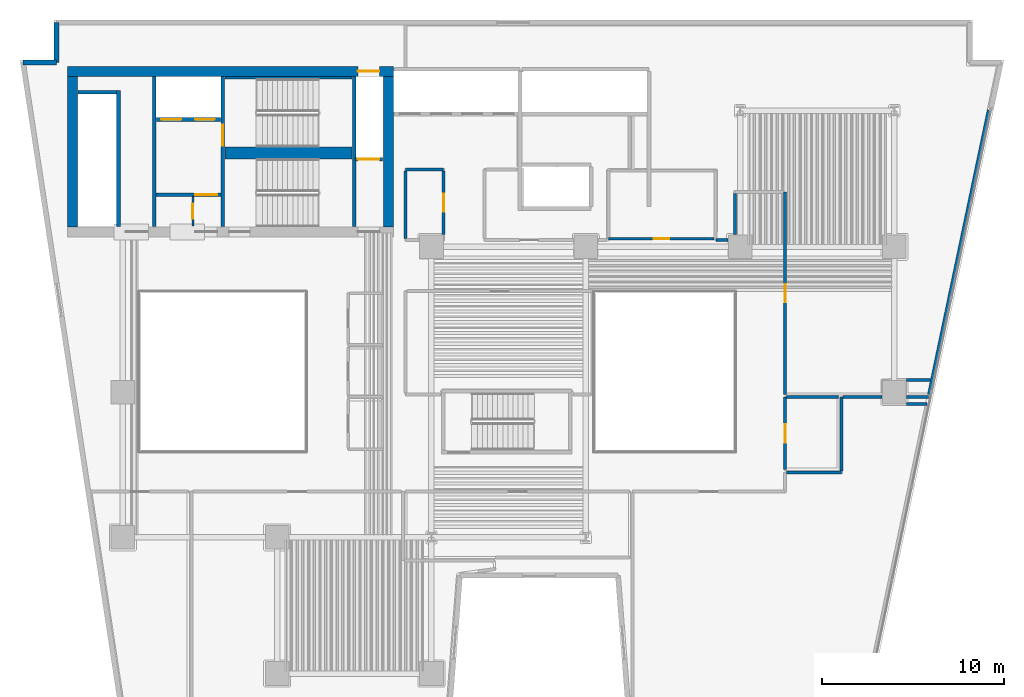
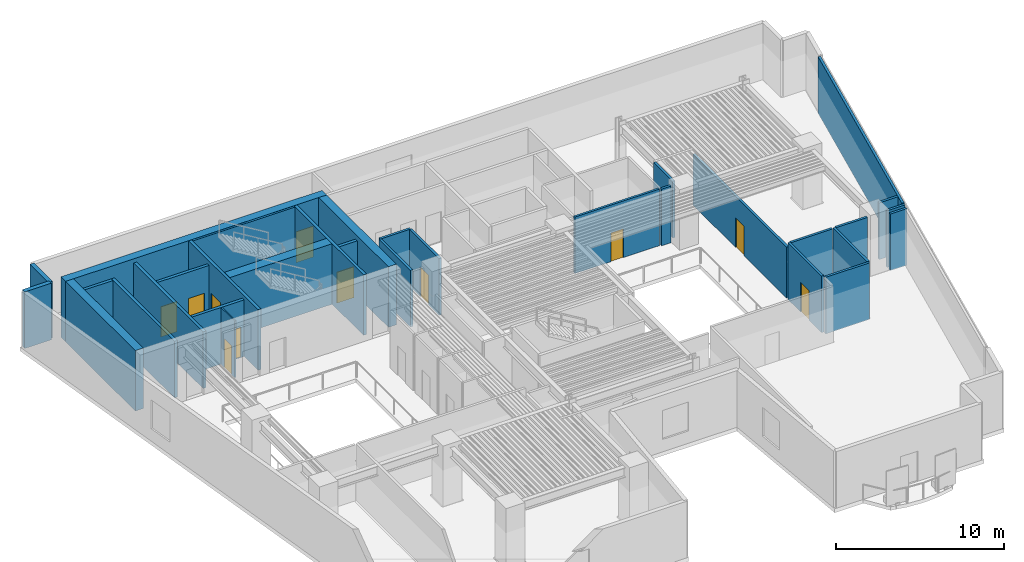
# One storey, part 5 of 12: 32 walls, 11 doors, 11 openings.
"""IFC4 building model written with IfcOpenShell, lengths in metres."""

from ifc_helpers import new_model, si_unit, direction, frame, frame_2d, origin, place, context, subcontext, project, spatial, rectangle, extrude, material, layer, layer_set, type_object, element, fill, save


model = new_model("IFC4")

# Units and contexts
model_context = context("Model", 3, precision=1e-05, world=origin(), true_north=direction((0.0, 1.0)))
body_context = subcontext(model_context, "Body", "Model", "MODEL_VIEW")
ifc_project = project(units=[si_unit("LENGTHUNIT", "METRE"), si_unit("AREAUNIT", "SQUARE_METRE"), si_unit("VOLUMEUNIT", "CUBIC_METRE"), si_unit("PLANEANGLEUNIT", "RADIAN"), si_unit("MASSUNIT", "GRAM", prefix="KILO")], contexts=[model_context])

# Site, building, storey
site_placement = place(None, origin())
site = spatial("IfcSite", under=ifc_project, at=site_placement, CompositionType="ELEMENT")
building_placement = place(site_placement, origin())
building = spatial("IfcBuilding", under=site, at=building_placement, Name="Caeloran Harvest Quay", CompositionType="ELEMENT")
storey_placement = place(building_placement, frame((0.0, 0.0, 93.0)))
storey = spatial("IfcBuildingStorey", under=building, at=storey_placement, Name="L21", CompositionType="ELEMENT", Elevation=93.0)

# Walls
ifc_material_1 = material(Name="Precast concrete C50/60", Category="concrete")
ifc_layer_1 = layer(ifc_material_1, 0.280029296875, Name="Precast concrete C50/60")
ifc_layer_set_1 = layer_set([ifc_layer_1], Name="Precast concrete C50/60")
wall_type_1 = type_object("IfcWallType", Name="ENV-WALL-EW-280", PredefinedType="STANDARD", material=ifc_layer_set_1)
wall_1_placement = place(storey_placement, frame((2.99755859375, 41.159912109375, 0.0), z_axis=(0.0, 0.0, 1.0), x_axis=(1.0, 0.0, 0.0)))
element("IfcWall", 1, at=wall_1_placement, inside=storey, type_object=wall_type_1, Name="L21 Exterior Precast Concrete Facade Wall 4", PredefinedType="STANDARD", context=body_context, shape_type="SweptSolid", body=[
    extrude(rectangle(XDim=1.842529296875, YDim=0.280029296875, at=frame_2d((0.92138671875, 0.0))), origin(), (0.0, 0.0, 1.0), 4.114990234375),
])
wall_2_placement = place(storey_placement, frame((4.840087890625, 41.159912109375, 0.0), z_axis=(0.0, 0.0, 1.0), x_axis=(0.0, 1.0, 0.0)))
element("IfcWall", 2, at=wall_2_placement, inside=storey, type_object=wall_type_1, Name="L21 Exterior Precast Concrete Facade Wall 5", PredefinedType="STANDARD", context=body_context, shape_type="SweptSolid", body=[
    extrude(rectangle(XDim=2.2001953125, YDim=0.280029296875, at=frame_2d((1.10009765625, 0.0))), origin(), (0.0, 0.0, 1.0), 4.114990234375),
])

# Wall, opening, door
ifc_material_2 = material(Name="Fire-Resisting Gypsum Core Riser Partition", Category="gypsum")
ifc_layer_2 = layer(ifc_material_2, 0.10009765625, Name="Fire-Resisting Gypsum Core Riser Partition")
ifc_layer_set_2 = layer_set([ifc_layer_2], Name="Fire-Resisting Gypsum Core Riser Partition")
wall_type_2 = type_object("IfcWallType", Name="INT-WALL-PW-100", PredefinedType="PARTITIONING", material=ifc_layer_set_2)
wall_3_placement = place(storey_placement, frame((12.360107421875, 32.159912109375, 0.0), z_axis=(0.0, 0.0, 1.0), x_axis=(0.0, 1.0, 0.0)))
wall_3 = element("IfcWall", 3, at=wall_3_placement, inside=storey, type_object=wall_type_2, Name="L21 Core Store Partition Wall", PredefinedType="PARTITIONING", context=body_context, shape_type="SweptSolid", body=[
    extrude(rectangle(XDim=1.6201171875, YDim=0.10009765625, at=frame_2d((0.81005859375, 0.0))), origin(), (0.0, 0.0, 1.0), 4.114990234375),
])
opening_1_placement = place(wall_3_placement, frame((0.3798828125, 0.0, 0.0)))
opening_1 = element("IfcOpeningElement", 4, at=opening_1_placement, cuts=wall_3, Name="Opening SV-01", PredefinedType="OPENING", context=body_context, shape_type="SweptSolid", body=[
    extrude(rectangle(XDim=0.85009765625, YDim=2.10009765625, at=frame_2d((0.425048828125, 1.050048828125))), frame((0.0, 0.06005859375, 0.0), z_axis=(0.0, -1.0, 0.0), x_axis=(1.0, 0.0, 0.0)), (0.0, 0.0, 1.0), 0.1201171875),
])
ifc_material_3 = material(Name="Galvanized Painted Steel", Category="steel")
door_type_1 = type_object("IfcDoorType", Name="INTDOOR-SV-01", OperationType="NOTDEFINED", PredefinedType="DOOR", material=ifc_material_3)
door_1_placement = place(opening_1_placement, origin())
door_1 = element("IfcDoor", 5, at=door_1_placement, inside=storey, type_object=door_type_1, Name="L21 Core Service Room Access Door", OperationType="SINGLE_SWING_RIGHT", OverallHeight=2.10009765625, OverallWidth=0.85009765625, PredefinedType="DOOR", context=body_context, shape_type="SweptSolid", body=[
    extrude(rectangle(XDim=0.85009765625, YDim=2.10009765625, at=frame_2d((0.425048828125, 1.050048828125))), frame((0.0, 0.02490234375, 0.0), z_axis=(0.0, -1.0, 0.0), x_axis=(1.0, 0.0, 0.0)), (0.0, 0.0, 1.0), 0.050048828125),
])
fill(opening_1, door_1)

ifc_material_4 = material(Name="Autoclaved Aerated Concrete Blockwork and Plasterboard", Category="masonry")
ifc_layer_3 = layer(ifc_material_4, 0.14990234375, Name="Autoclaved Aerated Concrete Blockwork and Plasterboard")
ifc_layer_set_3 = layer_set([ifc_layer_3], Name="Autoclaved Aerated Concrete Blockwork and Plasterboard")
wall_type_3 = type_object("IfcWallType", Name="INT-WALL-PW-150", PredefinedType="PARTITIONING", material=ifc_layer_set_3)
wall_4_placement = place(storey_placement, frame((41.070068359375, 31.449951171875, 0.0), z_axis=(0.0, 0.0, 1.0), x_axis=(-1.0, 0.0, 0.0)))
wall_4 = element("IfcWall", 6, at=wall_4_placement, inside=storey, type_object=wall_type_3, Name="L21 Core Telemetry Control Room Partition Wall", PredefinedType="PARTITIONING", context=body_context, shape_type="SweptSolid", body=[
    extrude(rectangle(XDim=5.820068359375, YDim=0.14990234375, at=frame_2d((2.91015625, 0.0))), origin(), (0.0, 0.0, 1.0), 4.114990234375),
])
opening_2_placement = place(wall_4_placement, frame((2.485107421875, 0.0, 0.0)))
opening_2 = element("IfcOpeningElement", 7, at=opening_2_placement, cuts=wall_4, Name="Opening SV-01", PredefinedType="OPENING", context=body_context, shape_type="SweptSolid", body=[
    extrude(rectangle(XDim=0.85009765625, YDim=2.10009765625, at=frame_2d((0.425048828125, 1.050048828125))), frame((0.0, 0.0849609375, 0.0), z_axis=(0.0, -1.0, 0.0), x_axis=(1.0, 0.0, 0.0)), (0.0, 0.0, 1.0), 0.169921875),
])
door_2_placement = place(opening_2_placement, origin())
door_2 = element("IfcDoor", 8, at=door_2_placement, inside=storey, type_object=door_type_1, Name="L21 Core Telemetry Control Room Access Door", OperationType="SINGLE_SWING_LEFT", OverallHeight=2.10009765625, OverallWidth=0.85009765625, PredefinedType="DOOR", context=body_context, shape_type="SweptSolid", body=[
    extrude(rectangle(XDim=0.85009765625, YDim=2.10009765625, at=frame_2d((0.425048828125, 1.050048828125))), frame((0.0, 0.02490234375, 0.0), z_axis=(0.0, -1.0, 0.0), x_axis=(1.0, 0.0, 0.0)), (0.0, 0.0, 1.0), 0.050048828125),
])
fill(opening_2, door_2)

# Walls
ifc_material_5 = material(Name="Autoclaved Aerated Concrete Blockwork", Category="masonry")
ifc_layer_4 = layer(ifc_material_5, 0.1650390625, Name="Autoclaved Aerated Concrete Blockwork")
ifc_layer_set_4 = layer_set([ifc_layer_4], Name="Autoclaved Aerated Concrete Blockwork")
wall_type_4 = type_object("IfcWallType", Name="INT-WALL-PW-165", PredefinedType="PARTITIONING", material=ifc_layer_set_4)
wall_5_placement = place(storey_placement, frame((45.0673828125, 18.570068359375, 0.0), z_axis=(0.0, 0.0, 1.0), x_axis=(1.0, 0.0, 0.0)))
element("IfcWall", 9, at=wall_5_placement, inside=storey, type_object=wall_type_4, Name="Biophilic Architecture Atelier Partition Wall", PredefinedType="PARTITIONING", context=body_context, shape_type="SweptSolid", body=[
    extrude(rectangle(XDim=3.0126953125, YDim=0.1650390625, at=frame_2d((1.50634765625, 0.0))), origin(), (0.0, 0.0, 1.0), 4.114990234375),
])
wall_6_placement = place(storey_placement, frame((48.080078125, 18.657470703125, 0.0), z_axis=(0.0, 0.0, 1.0), x_axis=(0.0, 1.0, 0.0)))
element("IfcWall", 10, at=wall_6_placement, inside=storey, type_object=wall_type_4, Name="Biophilic Architecture Atelier Partition Wall", PredefinedType="PARTITIONING", context=body_context, shape_type="SweptSolid", body=[
    extrude(rectangle(XDim=4.0625, YDim=0.1650390625, at=frame_2d((2.03125, 0.0))), origin(), (0.0, 0.0, 1.0), 4.114990234375),
])
wall_7_placement = place(storey_placement, frame((48.16748046875, 22.719970703125, 0.0), z_axis=(0.0, 0.0, 1.0), x_axis=(1.0, 0.0, 0.0)))
element("IfcWall", 11, at=wall_7_placement, inside=storey, type_object=wall_type_4, Name="Biophilic Architecture Atelier Partition Wall", PredefinedType="PARTITIONING", context=body_context, shape_type="SweptSolid", body=[
    extrude(rectangle(XDim=2.157470703125, YDim=0.1650390625, at=frame_2d((1.07861328125, 0.0))), origin(), (0.0, 0.0, 1.0), 4.114990234375),
])
wall_8_placement = place(storey_placement, frame((51.675048828125, 22.3349609375, 0.0), z_axis=(0.0, 0.0, 1.0), x_axis=(1.0, 0.0, 0.0)))
element("IfcWall", 12, at=wall_8_placement, inside=storey, type_object=wall_type_4, Name="Biophilic Architecture Atelier Partition Wall", PredefinedType="PARTITIONING", context=body_context, shape_type="SweptSolid", body=[
    extrude(rectangle(XDim=1.12841796875, YDim=0.1650390625, at=frame_2d((0.564208984375, 0.0))), origin(), (0.0, 0.0, 1.0), 4.114990234375),
])
wall_9_placement = place(storey_placement, frame((51.675048828125, 22.719970703125, 0.0), z_axis=(0.0, 0.0, 1.0), x_axis=(1.0, 0.0, 0.0)))
element("IfcWall", 13, at=wall_9_placement, inside=storey, type_object=wall_type_4, Name="Biophilic Architecture Atelier Partition Wall", PredefinedType="PARTITIONING", context=body_context, shape_type="SweptSolid", body=[
    extrude(rectangle(XDim=1.209228515625, YDim=0.1650390625, at=frame_2d((0.6044921875, 0.0))), origin(), (0.0, 0.0, 1.0), 4.114990234375),
])

# Wall, opening, door
wall_10_placement = place(storey_placement, frame((44.97998046875, 18.72998046875, 0.0), z_axis=(0.0, 0.0, 1.0), x_axis=(0.0, 1.0, 0.0)))
wall_10 = element("IfcWall", 14, at=wall_10_placement, inside=storey, type_object=wall_type_4, Name="Principal Partner Office Partition Wall", PredefinedType="PARTITIONING", context=body_context, shape_type="SweptSolid", body=[
    extrude(rectangle(XDim=3.989990234375, YDim=0.1650390625, at=frame_2d((1.9951171875, 0.0))), origin(), (0.0, 0.0, 1.0), 4.114990234375),
])
opening_3_placement = place(wall_10_placement, frame((1.4951171875, 0.0, 0.0)))
opening_3 = element("IfcOpeningElement", 15, at=opening_3_placement, cuts=wall_10, Name="Opening ID-01", PredefinedType="OPENING", context=body_context, shape_type="SweptSolid", body=[
    extrude(rectangle(XDim=1.0, YDim=2.14990234375, at=frame_2d((0.5, 1.074951171875))), frame((0.0, 0.092529296875, 0.0), z_axis=(0.0, -1.0, 0.0), x_axis=(1.0, 0.0, 0.0)), (0.0, 0.0, 1.0), 0.18505859375),
])
ifc_material_6 = material(Name="FSC Solid-Core Ash Timber and Acoustic Seal", Category="wood")
door_type_2 = type_object("IfcDoorType", Name="INTDOOR-ID-01", OperationType="NOTDEFINED", PredefinedType="DOOR", material=ifc_material_6)
door_3_placement = place(opening_3_placement, origin())
door_3 = element("IfcDoor", 16, at=door_3_placement, inside=storey, type_object=door_type_2, Name="Principal Partner Office Access Door", OperationType="SINGLE_SWING_LEFT", OverallHeight=2.14990234375, OverallWidth=1.0, PredefinedType="DOOR", context=body_context, shape_type="SweptSolid", body=[
    extrude(rectangle(XDim=1.0, YDim=2.14990234375, at=frame_2d((0.5, 1.074951171875))), frame((0.0, 0.02490234375, 0.0), z_axis=(0.0, -1.0, 0.0), x_axis=(1.0, 0.0, 0.0)), (0.0, 0.0, 1.0), 0.050048828125),
])
fill(opening_3, door_3)

# Walls
wall_11_placement = place(storey_placement, frame((45.0673828125, 22.719970703125, 0.0), z_axis=(0.0, 0.0, 1.0), x_axis=(1.0, 0.0, 0.0)))
element("IfcWall", 17, at=wall_11_placement, inside=storey, type_object=wall_type_4, Name="Principal Partner Office Partition Wall", PredefinedType="PARTITIONING", context=body_context, shape_type="SweptSolid", body=[
    extrude(rectangle(XDim=2.8525390625, YDim=0.1650390625, at=frame_2d((1.42626953125, 0.0))), origin(), (0.0, 0.0, 1.0), 4.114990234375),
])
wall_12_placement = place(storey_placement, frame((24.080078125, 35.27001953125, 0.0), z_axis=(0.0, 0.0, 1.0), x_axis=(1.0, 0.0, 0.0)))
element("IfcWall", 18, at=wall_12_placement, inside=storey, type_object=wall_type_4, Name="Partner Boardroom Partition Wall", PredefinedType="PARTITIONING", context=body_context, shape_type="SweptSolid", body=[
    extrude(rectangle(XDim=2.08984375, YDim=0.1650390625, at=frame_2d((1.044921875, 0.0))), origin(), (0.0, 0.0, 1.0), 4.114990234375),
])

# Wall, opening, door
wall_13_placement = place(storey_placement, frame((26.169921875, 35.1826171875, 0.0), z_axis=(0.0, 0.0, 1.0), x_axis=(0.0, -1.0, 0.0)))
wall_13 = element("IfcWall", 19, at=wall_13_placement, inside=storey, type_object=wall_type_4, Name="Partner Boardroom Partition Wall", PredefinedType="PARTITIONING", context=body_context, shape_type="SweptSolid", body=[
    extrude(rectangle(XDim=3.507568359375, YDim=0.1650390625, at=frame_2d((1.75390625, 0.0))), origin(), (0.0, 0.0, 1.0), 4.114990234375),
])
opening_4_placement = place(wall_13_placement, frame((1.253662109375, 0.0, 0.0)))
opening_4 = element("IfcOpeningElement", 20, at=opening_4_placement, cuts=wall_13, Name="Opening ID-01", PredefinedType="OPENING", context=body_context, shape_type="SweptSolid", body=[
    extrude(rectangle(XDim=1.0, YDim=2.14990234375, at=frame_2d((0.5, 1.074951171875))), frame((0.0, 0.092529296875, 0.0), z_axis=(0.0, -1.0, 0.0), x_axis=(1.0, 0.0, 0.0)), (0.0, 0.0, 1.0), 0.18505859375),
])
door_4_placement = place(opening_4_placement, origin())
door_4 = element("IfcDoor", 21, at=door_4_placement, inside=storey, type_object=door_type_2, Name="Partner Boardroom Access Door", OperationType="SINGLE_SWING_LEFT", OverallHeight=2.14990234375, OverallWidth=1.0, PredefinedType="DOOR", context=body_context, shape_type="SweptSolid", body=[
    extrude(rectangle(XDim=1.0, YDim=2.14990234375, at=frame_2d((0.5, 1.074951171875))), frame((0.0, 0.02490234375, 0.0), z_axis=(0.0, -1.0, 0.0), x_axis=(1.0, 0.0, 0.0)), (0.0, 0.0, 1.0), 0.050048828125),
])
fill(opening_4, door_4)

# Walls
wall_14_placement = place(storey_placement, frame((24.080078125, 31.467529296875, 0.0), z_axis=(0.0, 0.0, 1.0), x_axis=(0.0, 1.0, 0.0)))
element("IfcWall", 22, at=wall_14_placement, inside=storey, type_object=wall_type_4, Name="Partner Boardroom Partition Wall", PredefinedType="PARTITIONING", context=body_context, shape_type="SweptSolid", body=[
    extrude(rectangle(XDim=3.715087890625, YDim=0.1650390625, at=frame_2d((1.857421875, 0.0))), origin(), (0.0, 0.0, 1.0), 4.114990234375),
])
wall_15_placement = place(storey_placement, frame((56.1943359375, 38.547607421875, 0.0), z_axis=(0.0, 0.0, 1.0), x_axis=(-0.205579307071, -0.978640459262, 0.0)))
element("IfcWall", 23, at=wall_15_placement, inside=storey, type_object=wall_type_4, Name="Regional Food Policy Boardroom 9 Partition Wall", PredefinedType="PARTITIONING", context=body_context, shape_type="SweptSolid", body=[
    extrude(rectangle(XDim=16.009765625, YDim=0.1650390625, at=frame_2d((8.0048828125, 0.0))), origin(), (0.0, 0.0, 1.0), 4.114990234375),
])
wall_16_placement = place(storey_placement, frame((52.978515625, 23.6650390625, 0.0), z_axis=(0.0, 0.0, 1.0), x_axis=(-1.0, 0.0, 0.0)))
element("IfcWall", 24, at=wall_16_placement, inside=storey, type_object=wall_type_4, Name="Regional Food Policy Boardroom 9 Partition Wall", PredefinedType="PARTITIONING", context=body_context, shape_type="SweptSolid", body=[
    extrude(rectangle(XDim=1.303466796875, YDim=0.1650390625, at=frame_2d((0.65185546875, 0.0))), origin(), (0.0, 0.0, 1.0), 4.114990234375),
])

# Wall, opening, door
wall_17_placement = place(storey_placement, frame((44.97998046875, 22.8798828125, 0.0), z_axis=(0.0, 0.0, 1.0), x_axis=(0.0, 1.0, 0.0)))
wall_17 = element("IfcWall", 25, at=wall_17_placement, inside=storey, type_object=wall_type_4, Name="Regional Food Policy Boardroom 9 Partition Wall", PredefinedType="PARTITIONING", context=body_context, shape_type="SweptSolid", body=[
    extrude(rectangle(XDim=11.150146484375, YDim=0.1650390625, at=frame_2d((5.5751953125, 0.0))), origin(), (0.0, 0.0, 1.0), 3.699951171875),
])
opening_5_placement = place(wall_17_placement, frame((5.074951171875, 0.0, 0.0)))
opening_5 = element("IfcOpeningElement", 26, at=opening_5_placement, cuts=wall_17, Name="Opening ID-01", PredefinedType="OPENING", context=body_context, shape_type="SweptSolid", body=[
    extrude(rectangle(XDim=1.0, YDim=2.14990234375, at=frame_2d((0.5, 1.074951171875))), frame((0.0, 0.092529296875, 0.0), z_axis=(0.0, -1.0, 0.0), x_axis=(1.0, 0.0, 0.0)), (0.0, 0.0, 1.0), 0.18505859375),
])
door_5_placement = place(opening_5_placement, origin())
door_5 = element("IfcDoor", 27, at=door_5_placement, inside=storey, type_object=door_type_2, Name="Regional Food Policy Boardroom 9 Access Door", OperationType="SINGLE_SWING_LEFT", OverallHeight=2.14990234375, OverallWidth=1.0, PredefinedType="DOOR", context=body_context, shape_type="SweptSolid", body=[
    extrude(rectangle(XDim=1.0, YDim=2.14990234375, at=frame_2d((0.5, 1.074951171875))), frame((0.0, 0.02490234375, 0.0), z_axis=(0.0, -1.0, 0.0), x_axis=(1.0, 0.0, 0.0)), (0.0, 0.0, 1.0), 0.050048828125),
])
fill(opening_5, door_5)

# Walls
wall_18_placement = place(storey_placement, frame((42.219970703125, 33.9423828125, 0.0), z_axis=(0.0, 0.0, 1.0), x_axis=(0.0, -1.0, 0.0)))
element("IfcWall", 28, at=wall_18_placement, inside=storey, type_object=wall_type_4, Name="Regional Food Policy Boardroom 9 Partition Wall", PredefinedType="PARTITIONING", context=body_context, shape_type="SweptSolid", body=[
    extrude(rectangle(XDim=2.267333984375, YDim=0.1650390625, at=frame_2d((1.1337890625, 0.0))), origin(), (0.0, 0.0, 1.0), 4.114990234375),
])
wall_19_placement = place(storey_placement, frame((41.824951171875, 31.3798828125, 0.0), z_axis=(0.0, 0.0, 1.0), x_axis=(-1.0, 0.0, 0.0)))
element("IfcWall", 29, at=wall_19_placement, inside=storey, type_object=wall_type_4, Name="Regional Food Policy Boardroom 9 Partition Wall", PredefinedType="PARTITIONING", context=body_context, shape_type="SweptSolid", body=[
    extrude(rectangle(XDim=0.660400390625, YDim=0.1650390625, at=frame_2d((0.330078125, 0.0))), origin(), (0.0, 0.0, 1.0), 4.114990234375),
])
ifc_material_7 = material(Name="Concrete C50/60", Category="concrete")
ifc_layer_5 = layer(ifc_material_7, 0.199951171875, Name="Concrete C50/60")
ifc_layer_set_5 = layer_set([ifc_layer_5], Name="Concrete C50/60")
wall_type_5 = type_object("IfcWallType", Name="INT-WALL-SW-200", PredefinedType="PARTITIONING", material=ifc_layer_set_5)
wall_20_placement = place(storey_placement, frame((8.260009765625, 32.1201171875, 0.0), z_axis=(0.0, 0.0, 1.0), x_axis=(0.0, 1.0, 0.0)))
element("IfcWall", 30, at=wall_20_placement, inside=storey, type_object=wall_type_5, Name="L21 Bank 3 Lift Shaft Wall", PredefinedType="PARTITIONING", context=body_context, shape_type="SweptSolid", body=[
    extrude(rectangle(XDim=7.5, YDim=0.199951171875, at=frame_2d((3.75, 0.0))), origin(), (0.0, 0.0, 1.0), 4.114990234375),
])
wall_21_placement = place(storey_placement, frame((6.02001953125, 39.52001953125, 0.0), z_axis=(0.0, 0.0, 1.0), x_axis=(1.0, 0.0, 0.0)))
element("IfcWall", 31, at=wall_21_placement, inside=storey, type_object=wall_type_5, Name="L21 Bank 3 Lift Shaft North End Wall", PredefinedType="PARTITIONING", context=body_context, shape_type="SweptSolid", body=[
    extrude(rectangle(XDim=2.119873046875, YDim=0.199951171875, at=frame_2d((1.06005859375, 0.0))), origin(), (0.0, 0.0, 1.0), 4.114990234375),
])
wall_22_placement = place(storey_placement, frame((10.219970703125, 32.1201171875, 0.0), z_axis=(0.0, 0.0, 1.0), x_axis=(0.0, 1.0, 0.0)))
element("IfcWall", 32, at=wall_22_placement, inside=storey, type_object=wall_type_5, Name="L21 Core Lobby Compartment Wall", PredefinedType="PARTITIONING", context=body_context, shape_type="SweptSolid", body=[
    extrude(rectangle(XDim=8.259765625, YDim=0.199951171875, at=frame_2d((4.1298828125, 0.0))), origin(), (0.0, 0.0, 1.0), 4.114990234375),
])

# Wall, openings, doors
wall_23_placement = place(storey_placement, frame((10.340087890625, 38.02001953125, 0.0), z_axis=(0.0, 0.0, 1.0), x_axis=(1.0, 0.0, 0.0)))
wall_23 = element("IfcWall", 33, at=wall_23_placement, inside=storey, type_object=wall_type_5, Name="L21 Firefighting Lift Shaft Wall", PredefinedType="PARTITIONING", context=body_context, shape_type="SweptSolid", body=[
    extrude(rectangle(XDim=3.539794921875, YDim=0.199951171875, at=frame_2d((1.77001953125, 0.0))), origin(), (0.0, 0.0, 1.0), 4.114990234375),
])
opening_6_placement = place(wall_23_placement, frame((0.284912109375, 0.0, 0.0)))
opening_6 = element("IfcOpeningElement", 34, at=opening_6_placement, cuts=wall_23, Name="Opening LD-01", PredefinedType="OPENING", context=body_context, shape_type="SweptSolid", body=[
    extrude(rectangle(XDim=1.10009765625, YDim=2.199951171875, at=frame_2d((0.550048828125, 1.10009765625))), frame((0.0, 0.10986328125, 0.0), z_axis=(0.0, -1.0, 0.0), x_axis=(1.0, 0.0, 0.0)), (0.0, 0.0, 1.0), 0.219970703125),
])
opening_7_placement = place(wall_23_placement, frame((2.135009765625, 0.0, 0.0)))
opening_7 = element("IfcOpeningElement", 35, at=opening_7_placement, cuts=wall_23, Name="Opening LD-01", PredefinedType="OPENING", context=body_context, shape_type="SweptSolid", body=[
    extrude(rectangle(XDim=1.10009765625, YDim=2.199951171875, at=frame_2d((0.550048828125, 1.10009765625))), frame((0.0, 0.10986328125, 0.0), z_axis=(0.0, -1.0, 0.0), x_axis=(1.0, 0.0, 0.0)), (0.0, 0.0, 1.0), 0.219970703125),
])
ifc_material_8 = material(Name="Stainless Steel Grade 316", Category="steel")
door_type_3 = type_object("IfcDoorType", Name="INTDOOR-LD-01", OperationType="NOTDEFINED", PredefinedType="DOOR", material=ifc_material_8)
door_6_placement = place(opening_6_placement, origin())
door_6 = element("IfcDoor", 36, at=door_6_placement, inside=storey, type_object=door_type_3, Name="Lift FF-1 Sliding Landing Door (L21)", OperationType="DOUBLE_DOOR_SLIDING", OverallHeight=2.199951171875, OverallWidth=1.10009765625, PredefinedType="DOOR", context=body_context, shape_type="SweptSolid", body=[
    extrude(rectangle(XDim=1.10009765625, YDim=2.199951171875, at=frame_2d((0.550048828125, 1.10009765625))), frame((0.0, 0.02490234375, 0.0), z_axis=(0.0, -1.0, 0.0), x_axis=(1.0, 0.0, 0.0)), (0.0, 0.0, 1.0), 0.050048828125),
])
fill(opening_6, door_6)
door_7_placement = place(opening_7_placement, origin())
door_7 = element("IfcDoor", 37, at=door_7_placement, inside=storey, type_object=door_type_3, Name="Lift FF-2 Sliding Landing Door (L21)", OperationType="DOUBLE_DOOR_SLIDING", OverallHeight=2.199951171875, OverallWidth=1.10009765625, PredefinedType="DOOR", context=body_context, shape_type="SweptSolid", body=[
    extrude(rectangle(XDim=1.10009765625, YDim=2.199951171875, at=frame_2d((0.550048828125, 1.10009765625))), frame((0.0, 0.02490234375, 0.0), z_axis=(0.0, -1.0, 0.0), x_axis=(1.0, 0.0, 0.0)), (0.0, 0.0, 1.0), 0.050048828125),
])
fill(opening_7, door_7)

# Wall, opening, door
wall_24_placement = place(storey_placement, frame((10.340087890625, 33.8798828125, 0.0), z_axis=(0.0, 0.0, 1.0), x_axis=(1.0, 0.0, 0.0)))
wall_24 = element("IfcWall", 38, at=wall_24_placement, inside=storey, type_object=wall_type_5, Name="L21 Firefighting Lift Lobby Enclosure Wall", PredefinedType="PARTITIONING", context=body_context, shape_type="SweptSolid", body=[
    extrude(rectangle(XDim=3.559814453125, YDim=0.199951171875, at=frame_2d((1.77978515625, 0.0))), origin(), (0.0, 0.0, 1.0), 4.114990234375),
])
opening_8_placement = place(wall_24_placement, frame((2.14990234375, 0.0, 0.0)))
opening_8 = element("IfcOpeningElement", 39, at=opening_8_placement, cuts=wall_24, Name="Opening FD-01", PredefinedType="OPENING", context=body_context, shape_type="SweptSolid", body=[
    extrude(rectangle(XDim=1.199951171875, YDim=2.199951171875, at=frame_2d((0.60009765625, 1.10009765625))), frame((0.0, 0.10986328125, 0.0), z_axis=(0.0, -1.0, 0.0), x_axis=(1.0, 0.0, 0.0)), (0.0, 0.0, 1.0), 0.219970703125),
])
ifc_material_9 = material(Name="Steel", Category="steel")
door_type_4 = type_object("IfcDoorType", Name="INTDOOR-FD-01", OperationType="NOTDEFINED", PredefinedType="DOOR", material=ifc_material_9)
door_8_placement = place(opening_8_placement, origin())
door_8 = element("IfcDoor", 40, at=door_8_placement, inside=storey, type_object=door_type_4, Name="L21 Firefighting Lift Lobby Smoke-Seal Fire Door", OperationType="SINGLE_SWING_LEFT", OverallHeight=2.199951171875, OverallWidth=1.199951171875, PredefinedType="DOOR", context=body_context, shape_type="SweptSolid", body=[
    extrude(rectangle(XDim=1.199951171875, YDim=2.199951171875, at=frame_2d((0.60009765625, 1.10009765625))), frame((0.0, 0.02490234375, 0.0), z_axis=(0.0, -1.0, 0.0), x_axis=(1.0, 0.0, 0.0)), (0.0, 0.0, 1.0), 0.050048828125),
])
fill(opening_8, door_8)

wall_25_placement = place(storey_placement, frame((21.300048828125, 35.820068359375, 0.0), z_axis=(0.0, 0.0, 1.0), x_axis=(1.0, 0.0, 0.0)))
wall_25 = element("IfcWall", 41, at=wall_25_placement, inside=storey, type_object=wall_type_5, Name="L21 Service Lift SV-2 Shaft Wall", PredefinedType="PARTITIONING", context=body_context, shape_type="SweptSolid", body=[
    extrude(rectangle(XDim=1.5, YDim=0.199951171875, at=frame_2d((0.75, 0.0))), origin(), (0.0, 0.0, 1.0), 4.114990234375),
])
opening_9_placement = place(wall_25_placement, frame((0.14501953125, 0.0, 0.0)))
opening_9 = element("IfcOpeningElement", 42, at=opening_9_placement, cuts=wall_25, Name="Opening LD-02", PredefinedType="OPENING", context=body_context, shape_type="SweptSolid", body=[
    extrude(rectangle(XDim=1.179931640625, YDim=2.25, at=frame_2d((0.58984375, 1.125))), frame((0.0, 0.10986328125, 0.0), z_axis=(0.0, -1.0, 0.0), x_axis=(1.0, 0.0, 0.0)), (0.0, 0.0, 1.0), 0.219970703125),
])
door_type_5 = type_object("IfcDoorType", Name="INTDOOR-LD-02", OperationType="NOTDEFINED", PredefinedType="DOOR", material=ifc_material_8)
door_9_placement = place(opening_9_placement, origin())
door_9 = element("IfcDoor", 43, at=door_9_placement, inside=storey, type_object=door_type_5, Name="Lift SV-2 Sliding Landing Door (L21)", OperationType="DOUBLE_DOOR_SLIDING", OverallHeight=2.25, OverallWidth=1.179931640625, PredefinedType="DOOR", context=body_context, shape_type="SweptSolid", body=[
    extrude(rectangle(XDim=1.179931640625, YDim=2.25, at=frame_2d((0.58984375, 1.125))), frame((0.0, 0.02490234375, 0.0), z_axis=(0.0, -1.0, 0.0), x_axis=(1.0, 0.0, 0.0)), (0.0, 0.0, 1.0), 0.050048828125),
])
fill(opening_9, door_9)

ifc_material_10 = material(Name="Concrete C80/95", Category="concrete")
ifc_layer_6 = layer(ifc_material_10, 0.550048828125, Name="Concrete C80/95")
ifc_layer_set_6 = layer_set([ifc_layer_6], Name="Concrete C80/95")
wall_type_6 = type_object("IfcWallType", Name="STR-WALL-CW-550", PredefinedType="SHEAR", material=ifc_layer_set_6)
wall_26_placement = place(storey_placement, frame((5.449951171875, 40.675048828125, 0.0), z_axis=(0.0, 0.0, 1.0), x_axis=(1.0, 0.0, 0.0)))
wall_26 = element("IfcWall", 44, at=wall_26_placement, inside=storey, type_object=wall_type_6, Name="L21 Rear Core Shear Wall N", PredefinedType="SHEAR", context=body_context, shape_type="SweptSolid", body=[
    extrude(rectangle(XDim=17.949951171875, YDim=0.550048828125, at=frame_2d((8.97509765625, 0.0))), origin(), (0.0, 0.0, 1.0), 4.39990234375),
])
opening_10_placement = place(wall_26_placement, frame((15.9951171875, 0.0, 0.0)))
opening_10 = element("IfcOpeningElement", 45, at=opening_10_placement, cuts=wall_26, Name="Opening LD-02", PredefinedType="OPENING", context=body_context, shape_type="SweptSolid", body=[
    extrude(rectangle(XDim=1.179931640625, YDim=2.25, at=frame_2d((0.58984375, 1.125))), frame((0.0, 0.28515625, 0.0), z_axis=(0.0, -1.0, 0.0), x_axis=(1.0, 0.0, 0.0)), (0.0, 0.0, 1.0), 0.570068359375),
])
door_10_placement = place(opening_10_placement, origin())
door_10 = element("IfcDoor", 46, at=door_10_placement, inside=storey, type_object=door_type_5, Name="Lift SV-1 Sliding Landing Door (L21)", OperationType="DOUBLE_DOOR_SLIDING", OverallHeight=2.25, OverallWidth=1.179931640625, PredefinedType="DOOR", context=body_context, shape_type="SweptSolid", body=[
    extrude(rectangle(XDim=1.179931640625, YDim=2.25, at=frame_2d((0.58984375, 1.125))), frame((0.0, 0.02490234375, 0.0), z_axis=(0.0, -1.0, 0.0), x_axis=(1.0, 0.0, 0.0)), (0.0, 0.0, 1.0), 0.050048828125),
])
fill(opening_10, door_10)

# Walls
for number, where, z_axis, x_axis, name in (
    (47, (5.72509765625, 32.10009765625, 0.0), (0.0, 0.0, 1.0), (0.0, 1.0, 0.0), "L21 Rear Core Shear Wall W"),
    (48, (23.125, 32.10009765625, 0.0), (0.0, 0.0, 1.0), (0.0, 1.0, 0.0), "L21 Rear Core Shear Wall E"),
):
    element("IfcWall", number, at=place(storey_placement, frame(where, z_axis=z_axis, x_axis=x_axis)), inside=storey, type_object=wall_type_6, Name=name, PredefinedType="SHEAR", context=body_context, shape_type="SweptSolid", body=[
        extrude(rectangle(XDim=8.2998046875, YDim=0.550048828125, at=frame_2d((4.14990234375, 0.0))), origin(), (0.0, 0.0, 1.0), 4.39990234375),
    ])
ifc_material_11 = material(Name="Concrete C60/75", Category="concrete")
ifc_layer_7 = layer(ifc_material_11, 0.64990234375, Name="Concrete C60/75")
ifc_layer_set_7 = layer_set([ifc_layer_7], Name="Concrete C60/75")
wall_type_7 = type_object("IfcWallType", Name="STR-WALL-CW-650", PredefinedType="SHEAR", material=ifc_layer_set_7)
wall_27_placement = place(storey_placement, frame((14.1201171875, 36.175048828125, 0.0), z_axis=(0.0, 0.0, 1.0), x_axis=(1.0, 0.0, 0.0)))
element("IfcWall", 49, at=wall_27_placement, inside=storey, type_object=wall_type_7, Name="L21 Core Stairs Dividing Shear Wall", PredefinedType="SHEAR", context=body_context, shape_type="SweptSolid", body=[
    extrude(rectangle(XDim=7.009765625, YDim=0.64990234375, at=frame_2d((3.5048828125, 0.0))), origin(), (0.0, 0.0, 1.0), 4.39990234375),
])
ifc_layer_8 = layer(ifc_material_11, 0.139892578125, Name="Concrete C60/75")
ifc_layer_set_8 = layer_set([ifc_layer_8], Name="Concrete C60/75")
wall_type_8 = type_object("IfcWallType", Name="STR-WALL-SW-140", PredefinedType="SHEAR", material=ifc_layer_set_8)
wall_28_placement = place(storey_placement, frame((14.1201171875, 40.320068359375, 0.0), z_axis=(0.0, 0.0, 1.0), x_axis=(1.0, 0.0, 0.0)))
element("IfcWall", 50, at=wall_28_placement, inside=storey, type_object=wall_type_8, Name="L21 Core Stair ST-C1 North Bearing Shear Wall", PredefinedType="SHEAR", context=body_context, shape_type="SweptSolid", body=[
    extrude(rectangle(XDim=7.009765625, YDim=0.139892578125, at=frame_2d((3.5048828125, 0.0))), origin(), (0.0, 0.0, 1.0), 4.39990234375),
])

# Wall, opening, door
ifc_layer_9 = layer(ifc_material_11, 0.199951171875, Name="Concrete C60/75")
ifc_layer_set_9 = layer_set([ifc_layer_9], Name="Concrete C60/75")
wall_type_9 = type_object("IfcWallType", Name="STR-WALL-SW-200", PredefinedType="SHEAR", material=ifc_layer_set_9)
wall_29_placement = place(storey_placement, frame((14.0, 32.1201171875, 0.0), z_axis=(0.0, 0.0, 1.0), x_axis=(0.0, 1.0, 0.0)))
wall_29 = element("IfcWall", 51, at=wall_29_placement, inside=storey, type_object=wall_type_9, Name="L21 Core Stair Shaft West Shear Wall", PredefinedType="SHEAR", context=body_context, shape_type="SweptSolid", body=[
    extrude(rectangle(XDim=8.259765625, YDim=0.199951171875, at=frame_2d((4.1298828125, 0.0))), origin(), (0.0, 0.0, 1.0), 4.39990234375),
])
opening_11_placement = place(wall_29_placement, frame((4.4599609375, 0.0, 0.0)))
opening_11 = element("IfcOpeningElement", 52, at=opening_11_placement, cuts=wall_29, Name="Opening SD-01", PredefinedType="OPENING", context=body_context, shape_type="SweptSolid", body=[
    extrude(rectangle(XDim=1.14990234375, YDim=2.199951171875, at=frame_2d((0.574951171875, 1.10009765625))), frame((0.0, 0.10986328125, 0.0), z_axis=(0.0, -1.0, 0.0), x_axis=(1.0, 0.0, 0.0)), (0.0, 0.0, 1.0), 0.219970703125),
])
door_type_6 = type_object("IfcDoorType", Name="INTDOOR-SD-01", OperationType="NOTDEFINED", PredefinedType="DOOR", material=ifc_material_9)
door_11_placement = place(opening_11_placement, origin())
door_11 = element("IfcDoor", 53, at=door_11_placement, inside=storey, type_object=door_type_6, Name="L21 Protected Stair ST-C1 Exit Door", OperationType="SINGLE_SWING_LEFT", OverallHeight=2.199951171875, OverallWidth=1.14990234375, PredefinedType="DOOR", context=body_context, shape_type="SweptSolid", body=[
    extrude(rectangle(XDim=1.14990234375, YDim=2.199951171875, at=frame_2d((0.574951171875, 1.10009765625))), frame((0.0, 0.02490234375, 0.0), z_axis=(0.0, -1.0, 0.0), x_axis=(1.0, 0.0, 0.0)), (0.0, 0.0, 1.0), 0.050048828125),
])
fill(opening_11, door_11)

# Wall
wall_30_placement = place(storey_placement, frame((21.25, 32.1201171875, 0.0), z_axis=(0.0, 0.0, 1.0), x_axis=(0.0, 1.0, 0.0)))
element("IfcWall", 54, at=wall_30_placement, inside=storey, type_object=wall_type_9, Name="L21 Core Stair Shaft East Shear Wall", PredefinedType="SHEAR", context=body_context, shape_type="SweptSolid", body=[
    extrude(rectangle(XDim=8.259765625, YDim=0.199951171875, at=frame_2d((4.1298828125, 0.0))), origin(), (0.0, 0.0, 1.0), 4.39990234375),
])

save(model, "model.ifc")
